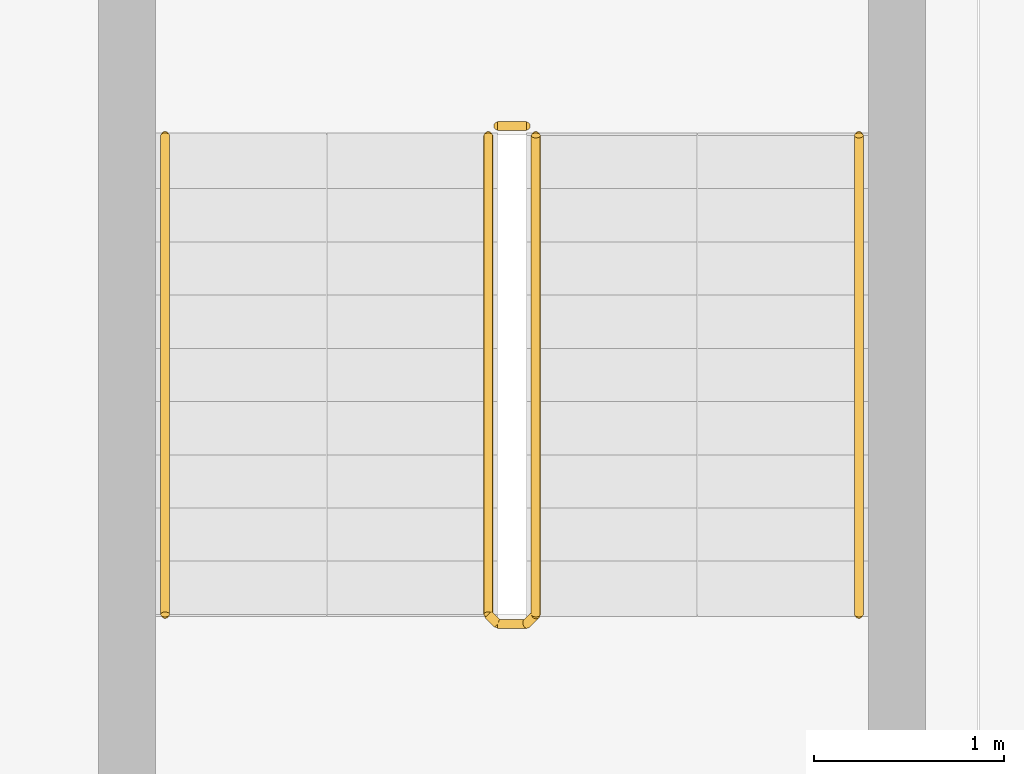
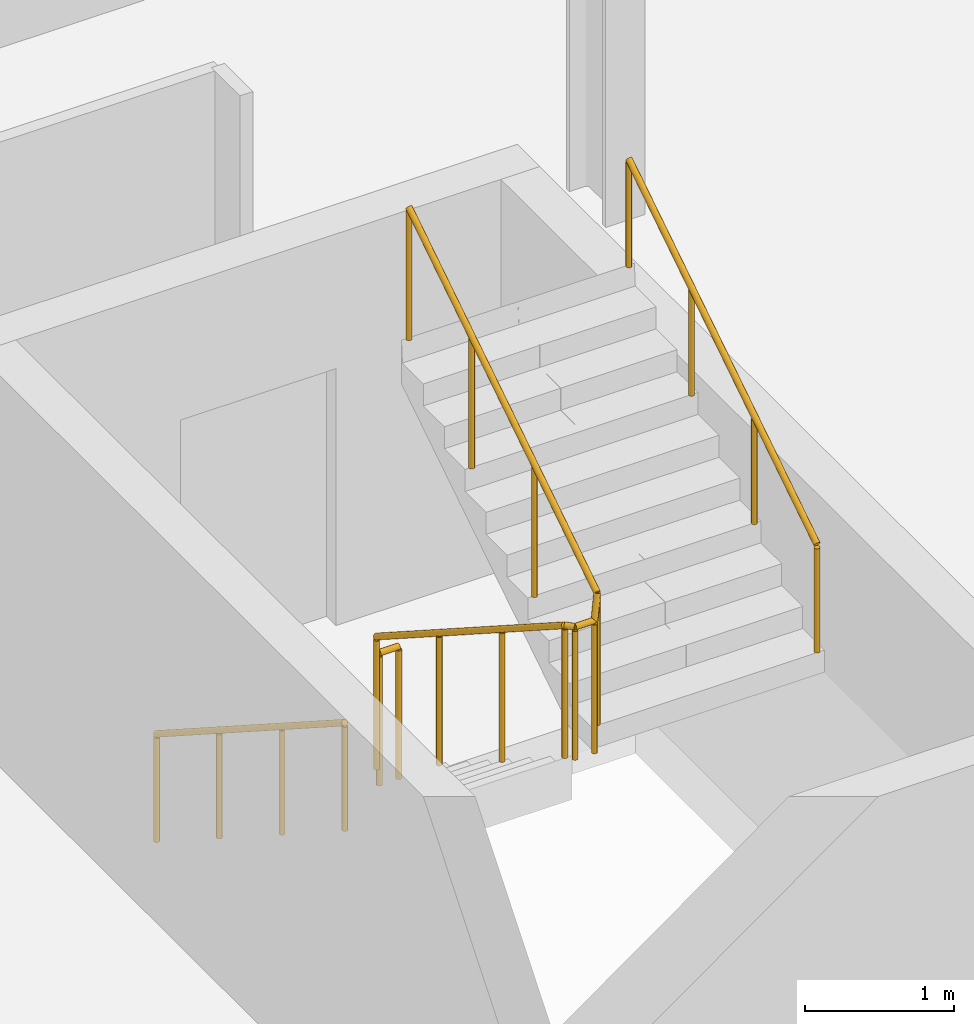
# One storey, part 24 of 26: 4 railings.
"""IFC4 building model written with IfcOpenShell, lengths in metres."""

import ifcopenshell
import ifcopenshell.guid

model = None  # the IFC model being written
_history = None  # IfcOwnerHistory: only IFC2X3 demands one
_inside = {}  # id of a spatial element -> (the spatial element, [elements in it])
_under = {}  # id of a project, library or spatial element -> (it, [spatial elements below it])
_declared = {}  # id of a project -> (the project, [libraries it declares])
_typed = {}  # id of a type object -> (the type object, [elements of that type])
_made_of = {}  # id of a material, layer set ... -> (it, [elements and type objects made of it])


def new_model(schema):
    """Start an empty IFC model of exactly this schema.

    Asked for "IFC4X3", IfcOpenShell would pick the latest addendum, in which some entities
    have other attributes; the version numbers below select the first issue.
    IFC2X3 requires an IfcOwnerHistory on every rooted entity: one is made here for all.
    """
    global model, _history
    if schema == "IFC4X3":
        model = ifcopenshell.file(schema_version=(4, 3, 0, 0))
    else:
        model = ifcopenshell.file(schema=schema)
    _inside.clear()
    _under.clear()
    _declared.clear()
    _typed.clear()
    _made_of.clear()
    _history = None
    if model.schema == "IFC2X3":
        org = make("IfcOrganization", Name="unknown")
        user = make(
            "IfcPersonAndOrganization",
            ThePerson=make("IfcPerson", FamilyName="unknown"),
            TheOrganization=org,
        )
        app = make(
            "IfcApplication",
            ApplicationDeveloper=org,
            Version="unknown",
            ApplicationFullName="unknown",
            ApplicationIdentifier="unknown",
        )
        _history = make(
            "IfcOwnerHistory",
            OwningUser=user,
            OwningApplication=app,
            ChangeAction="ADDED",
            CreationDate=0,
        )
    return model


def make(cls, **values):
    """One entity of the class cls with the attributes given. An attribute that is None is left unset."""
    return model.create_entity(
        cls, **{name: value for name, value in values.items() if value is not None}
    )


def rooted(cls, **values):
    """An entity with a GlobalId (a new one), such as an element, a storey or a relation."""
    return make(cls, GlobalId=ifcopenshell.guid.new(), OwnerHistory=_history, **values)


def si_unit(unit_type, name, prefix=None):
    """IfcSIUnit, for example si_unit("LENGTHUNIT", "METRE", prefix="MILLI")."""
    return make("IfcSIUnit", UnitType=unit_type, Prefix=prefix, Name=name)


def assignment(units):
    """IfcUnitAssignment: the units of a project."""
    return None if units is None else make("IfcUnitAssignment", Units=units)


def point(xyz):
    """IfcCartesianPoint."""
    return None if xyz is None else make("IfcCartesianPoint", Coordinates=xyz)


def direction(xyz):
    """IfcDirection."""
    return None if xyz is None else make("IfcDirection", DirectionRatios=xyz)


def frame(location, z_axis=None, x_axis=None):
    """IfcAxis2Placement3D, a coordinate frame: its origin and axes. An axis left out is left unset."""
    return make(
        "IfcAxis2Placement3D",
        Location=point(location),
        Axis=direction(z_axis),
        RefDirection=direction(x_axis),
    )


def frame_2d(location, x_axis=None):
    """IfcAxis2Placement2D, a coordinate frame in the plane: its origin and x axis."""
    return make(
        "IfcAxis2Placement2D", Location=point(location), RefDirection=direction(x_axis)
    )


def origin():
    """The frame at (0, 0, 0) with its axes left unset."""
    return frame((0.0, 0.0, 0.0))


def origin_2d():
    """The frame at (0, 0) in the plane with its x axis left unset."""
    return frame_2d((0.0, 0.0))


def place(relative_to, where):
    """IfcLocalPlacement: puts the frame where relative to a parent placement (None: the world)."""
    return make(
        "IfcLocalPlacement", PlacementRelTo=relative_to, RelativePlacement=where
    )


def context(
    kind, dimensions, precision=None, world=None, true_north=None, identifier=None
):
    """IfcGeometricRepresentationContext, for example the 3D "Model" context."""
    return make(
        "IfcGeometricRepresentationContext",
        ContextIdentifier=identifier,
        ContextType=kind,
        CoordinateSpaceDimension=dimensions,
        Precision=precision,
        WorldCoordinateSystem=world,
        TrueNorth=true_north,
    )


def subcontext(parent, identifier, kind, view, scale=None):
    """IfcGeometricRepresentationSubContext, for example "Body" below "Model"."""
    return make(
        "IfcGeometricRepresentationSubContext",
        ContextIdentifier=identifier,
        ContextType=kind,
        ParentContext=parent,
        TargetScale=scale,
        TargetView=view,
    )


def project(units=None, contexts=None):
    """IfcProject with its units and contexts."""
    return rooted(
        "IfcProject",
        Name="project",
        RepresentationContexts=contexts,
        UnitsInContext=assignment(units),
    )


def spatial(cls, under=None, at=None, **own):
    """A site, building, storey or space (cls), placed at a placement, below another one or the project."""
    s = rooted(cls, ObjectPlacement=at, **own)
    if under is not None:
        _under.setdefault(under.id(), (under, []))[1].append(s)
    return s


def profile(cls, at=None, kind="AREA", **sizes):
    """A parametric profile (cls). Its sizes go by their IFC names, for example OverallWidth=200.0."""
    return make(cls, ProfileType=kind, Position=at, **sizes)


def circle(**sizes):
    """IfcCircleProfileDef."""
    return profile("IfcCircleProfileDef", **sizes)


def extrude(swept, where, along, depth):
    """IfcExtrudedAreaSolid: the profile swept, set in the frame where, extruded along a direction by depth."""
    return make(
        "IfcExtrudedAreaSolid",
        SweptArea=swept,
        Position=where,
        ExtrudedDirection=direction(along),
        Depth=depth,
    )


def shape(context_of_items, identifier, shape_type, items):
    """IfcShapeRepresentation: the items that make up one representation, for example the "Body"."""
    return make(
        "IfcShapeRepresentation",
        ContextOfItems=context_of_items,
        RepresentationIdentifier=identifier,
        RepresentationType=shape_type,
        Items=items,
    )


def material(Name=None, Category=None):
    """IfcMaterial."""
    return make("IfcMaterial", Name=Name, Category=Category)


def made_of(thing, what):
    """Note that an element or type object is made of a material, layer set ...; save() writes the relation."""
    if what is not None:
        _made_of.setdefault(what.id(), (what, []))[1].append(thing)
    return thing


def type_object(cls, material=None, **own):
    """A type object (cls), such as IfcWallType, which elements share."""
    return made_of(rooted(cls, **own), material)


def element(
    cls,
    number,
    at=None,
    inside=None,
    cuts=None,
    type_object=None,
    material=None,
    context=None,
    identifier="Body",
    shape_type=None,
    held_by="IfcProductDefinitionShape",
    body=None,
    shapes=None,
    **own,
):
    """One element of the class cls, such as IfcWall. Its Tag is "e" and its number.

    at: its placement. inside: the storey or other place that contains it. cuts: it is an
    opening in that element (IfcRelVoidsElement). A single representation is given by context,
    identifier, shape_type and body (its items); several are given by shapes. held_by: the class
    of the entity that holds the representations. save() writes the other relations.
    """
    e = rooted(cls, Tag="e%d" % number, ObjectPlacement=at, **own)
    if body is not None:
        shapes = [shape(context, identifier, shape_type, body)]
    if shapes is not None:
        e.Representation = make(held_by, Representations=shapes)
    if inside is not None:
        _inside.setdefault(inside.id(), (inside, []))[1].append(e)
    if cuts is not None:
        rooted(
            "IfcRelVoidsElement", RelatingBuildingElement=cuts, RelatedOpeningElement=e
        )
    if type_object is not None:
        _typed.setdefault(type_object.id(), (type_object, []))[1].append(e)
    return made_of(e, material)


def aggregate(whole, parts):
    """IfcRelAggregates: a whole, such as a stair, and the parts it consists of."""
    return rooted("IfcRelAggregates", RelatingObject=whole, RelatedObjects=parts)


def save(model, path):
    """Write the relations noted so far, then the file.

    IfcRelAggregates (storeys below a building ...), IfcRelContainedInSpatialStructure (elements
    in a storey), IfcRelDefinesByType, IfcRelAssociatesMaterial and IfcRelDeclares: one each for
    every whole, place, type object, material and project.
    """
    for whole, parts in _under.values():
        aggregate(whole, parts)
    for where, things in _inside.values():
        rooted(
            "IfcRelContainedInSpatialStructure",
            RelatedElements=things,
            RelatingStructure=where,
        )
    for kind, things in _typed.values():
        rooted("IfcRelDefinesByType", RelatedObjects=things, RelatingType=kind)
    for what, things in _made_of.values():
        rooted("IfcRelAssociatesMaterial", RelatedObjects=things, RelatingMaterial=what)
    for by, libraries in _declared.values():
        rooted("IfcRelDeclares", RelatingContext=by, RelatedDefinitions=libraries)
    model.write(path)


model = new_model("IFC4")

# Units and contexts
model_context = context("Model", 3, precision=1e-05, world=origin(), true_north=direction((0.0, 1.0)))
body_context = subcontext(model_context, "Body", "Model", "MODEL_VIEW")
ifc_project = project(units=[si_unit("LENGTHUNIT", "METRE"), si_unit("AREAUNIT", "SQUARE_METRE"), si_unit("VOLUMEUNIT", "CUBIC_METRE"), si_unit("PLANEANGLEUNIT", "RADIAN"), si_unit("MASSUNIT", "GRAM", prefix="KILO")], contexts=[model_context])

# Site, building, storey
site_placement = place(None, origin())
site = spatial("IfcSite", under=ifc_project, at=site_placement, CompositionType="ELEMENT")
building_placement = place(site_placement, origin())
building = spatial("IfcBuilding", under=site, at=building_placement, Name="Wharfspan Tower", CompositionType="ELEMENT")
storey_placement = place(building_placement, frame((0.0, 0.0, 114.699951)))
storey = spatial("IfcBuildingStorey", under=building, at=storey_placement, Name="L26", CompositionType="ELEMENT", Elevation=114.699951)

# Railings
ifc_material = material(Name="Steel S355J2", Category="steel")
railing_type_1 = type_object("IfcRailingType", Name="Stair guard 1100", PredefinedType="GUARDRAIL", material=ifc_material)
railing_1_placement = place(storey_placement, frame((43.235352, 6.316895, 0.179932)))
element("IfcRailing", 1, at=railing_1_placement, inside=storey, type_object=railing_type_1, Name="L26 ST4 stair guard 1", PredefinedType="GUARDRAIL", context=body_context, shape_type="SweptSolid", body=[
    extrude(circle(Radius=0.023926, at=origin_2d()), frame((0.0, 0.0, 1.076172), z_axis=(0.0, -0.841163, 0.540782), x_axis=(1.0, 0.0, 0.0)), (0.0, 0.0, 1.0), 2.99585),
    extrude(circle(Radius=0.023926, at=origin_2d()), frame((0.0, -2.52002, 2.696289), z_axis=(0.707107, -0.707107, 0.0), x_axis=(0.707107, 0.707107, 0.0)), (0.0, 0.0, 1.0), 0.070312),
    extrude(circle(Radius=0.023926, at=origin_2d()), frame((0.049805, -2.569824, 2.696289), z_axis=(1.0, 0.0, 0.0), x_axis=(0.0, 1.0, 0.0)), (0.0, 0.0, 1.0), 0.150146),
    extrude(circle(Radius=0.023926, at=origin_2d()), frame((0.199951, -2.569824, 2.696289), z_axis=(0.258932, 0.257669, 0.930892), x_axis=(-0.705372, 0.708833, -1e-06)), (0.0, 0.0, 1.0), 0.193359),
    extrude(circle(Radius=0.023926, at=origin_2d()), frame((0.25, -2.52002, 2.875977), z_axis=(0.0, 0.841163, 0.540782), x_axis=(-1.0, 0.0, 0.0)), (0.0, 0.0, 1.0), 2.99585),
    extrude(circle(Radius=0.020996, at=origin_2d()), origin(), (0.0, 0.0, 1.0), 1.052002),
    extrude(circle(Radius=0.020996, at=origin_2d()), frame((0.0, -0.840088, 0.540039)), (0.0, 0.0, 1.0), 1.052002),
    extrude(circle(Radius=0.020996, at=origin_2d()), frame((0.0, -1.679932, 1.080078)), (0.0, 0.0, 1.0), 1.052002),
    extrude(circle(Radius=0.020996, at=origin_2d()), frame((0.0, -2.52002, 1.620117)), (0.0, 0.0, 1.0), 1.052002),
    extrude(circle(Radius=0.020996, at=origin_2d()), frame((0.049805, -2.569824, 1.620117)), (0.0, 0.0, 1.0), 1.052002),
    extrude(circle(Radius=0.020996, at=origin_2d()), frame((0.199951, -2.569824, 1.620117)), (0.0, 0.0, 1.0), 1.052002),
    extrude(circle(Radius=0.020996, at=origin_2d()), frame((0.25, -2.52002, 1.800049)), (0.0, 0.0, 1.0), 1.052002),
    extrude(circle(Radius=0.020996, at=origin_2d()), frame((0.25, -1.679932, 2.340088)), (0.0, 0.0, 1.0), 1.052002),
    extrude(circle(Radius=0.020996, at=origin_2d()), frame((0.25, -0.840088, 2.880127)), (0.0, 0.0, 1.0), 1.052002),
    extrude(circle(Radius=0.020996, at=origin_2d()), frame((0.25, 0.0, 3.420166)), (0.0, 0.0, 1.0), 1.052002),
])
railing_2_placement = place(storey_placement, frame((43.285156, 6.366943, 0.0)))
element("IfcRailing", 2, at=railing_2_placement, inside=storey, type_object=railing_type_1, Name="L26 ST4 stair guard 2", PredefinedType="GUARDRAIL", context=body_context, shape_type="SweptSolid", body=[
    extrude(circle(Radius=0.023926, at=origin_2d()), frame((0.0, 0.0, 1.076172), z_axis=(1.0, 0.0, 0.0), x_axis=(0.0, 1.0, 0.0)), (0.0, 0.0, 1.0), 0.150146),
    extrude(circle(Radius=0.020996, at=origin_2d()), origin(), (0.0, 0.0, 1.0), 1.052002),
    extrude(circle(Radius=0.020996, at=origin_2d()), frame((0.150146, 0.0, 0.0)), (0.0, 0.0, 1.0), 1.052002),
])
railing_type_2 = type_object("IfcRailingType", Name="Stair handrail 900", PredefinedType="HANDRAIL", material=ifc_material)
railing_3_placement = place(storey_placement, frame((41.535156, 6.316895, 0.179932)))
element("IfcRailing", 3, at=railing_3_placement, inside=storey, type_object=railing_type_2, Name="L26 ST4 stair handrail 1", PredefinedType="HANDRAIL", context=body_context, shape_type="SweptSolid", body=[
    extrude(circle(Radius=0.023926, at=origin_2d()), frame((0.0, 0.0, 0.875977), z_axis=(0.0, -0.841163, 0.540782), x_axis=(1.0, 0.0, 0.0)), (0.0, 0.0, 1.0), 2.99585),
    extrude(circle(Radius=0.020996, at=origin_2d()), origin(), (0.0, 0.0, 1.0), 0.851807),
    extrude(circle(Radius=0.020996, at=origin_2d()), frame((0.0, -0.840088, 0.540039)), (0.0, 0.0, 1.0), 0.851807),
    extrude(circle(Radius=0.020996, at=origin_2d()), frame((0.0, -1.679932, 1.080078)), (0.0, 0.0, 1.0), 0.851807),
    extrude(circle(Radius=0.020996, at=origin_2d()), frame((0.0, -2.52002, 1.620117)), (0.0, 0.0, 1.0), 0.851807),
])
railing_4_placement = place(storey_placement, frame((45.185303, 3.796875, 1.97998)))
element("IfcRailing", 4, at=railing_4_placement, inside=storey, type_object=railing_type_2, Name="L26 ST4 stair handrail 2", PredefinedType="HANDRAIL", context=body_context, shape_type="SweptSolid", body=[
    extrude(circle(Radius=0.023926, at=origin_2d()), frame((0.0, 0.0, 0.875977), z_axis=(0.0, 0.841163, 0.540782), x_axis=(-1.0, 0.0, 0.0)), (0.0, 0.0, 1.0), 2.99585),
    extrude(circle(Radius=0.020996, at=origin_2d()), origin(), (0.0, 0.0, 1.0), 0.851807),
    extrude(circle(Radius=0.020996, at=origin_2d()), frame((0.0, 0.840088, 0.540039)), (0.0, 0.0, 1.0), 0.851807),
    extrude(circle(Radius=0.020996, at=origin_2d()), frame((0.0, 1.679932, 1.080078)), (0.0, 0.0, 1.0), 0.851807),
    extrude(circle(Radius=0.020996, at=origin_2d()), frame((0.0, 2.52002, 1.620117)), (0.0, 0.0, 1.0), 0.851807),
])

save(model, "model.ifc")
